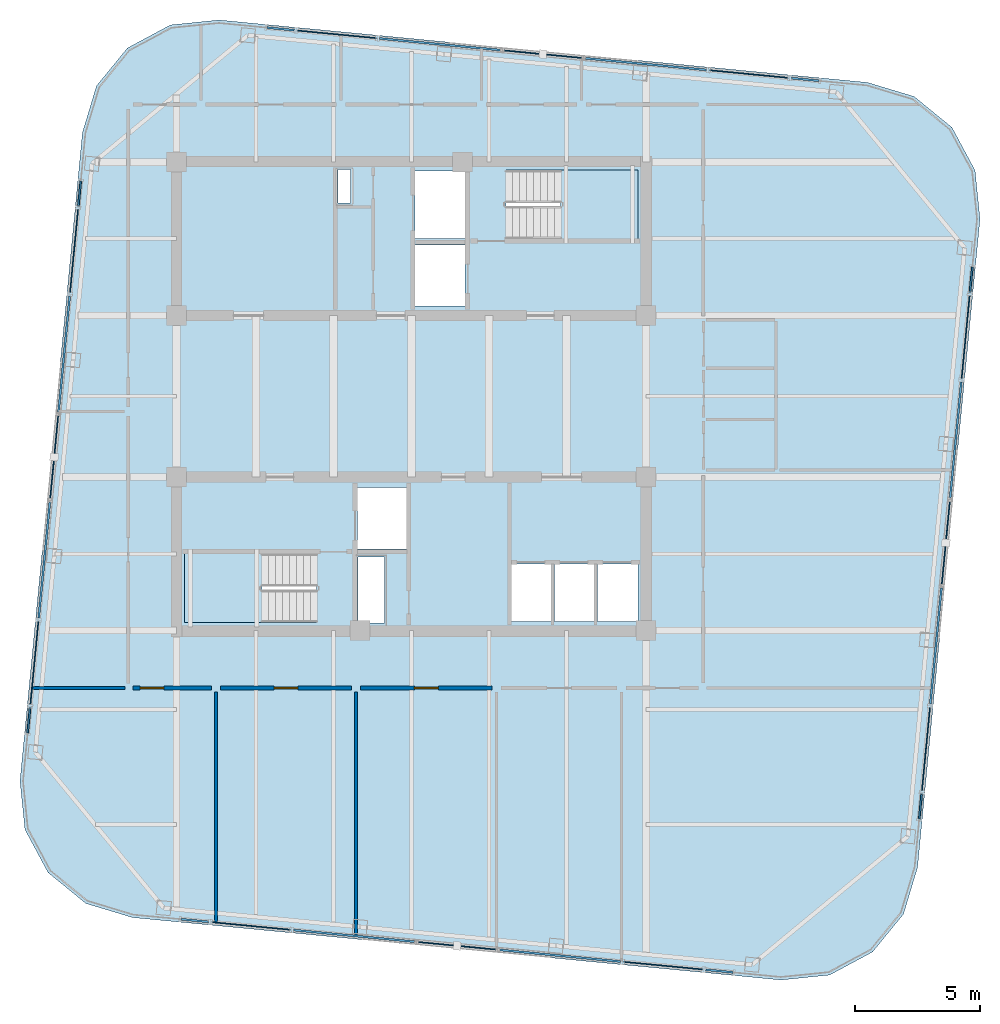
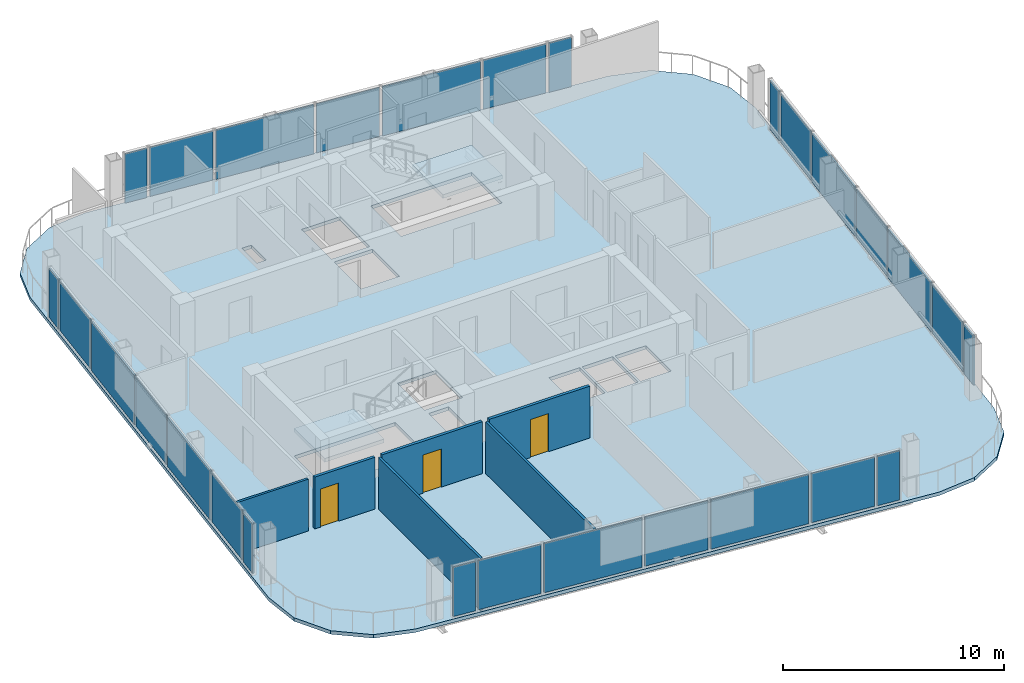
# One storey, part 20 of 27: 28 plates, 6 walls, 3 doors, 3 slabs, 3 openings, 30 elements without a shape of their own.
"""IFC4 building model written with IfcOpenShell, lengths in metres."""

from ifc_helpers import new_model, si_unit, direction, frame, frame_2d, origin, origin_2d, place, context, subcontext, project, spatial, polyline, rectangle, outline, extrude, material, layer, layer_set, type_object, element, fill, aggregate, save


model = new_model("IFC4")

# Units and contexts
model_context = context("Model", 3, precision=1e-05, world=origin(), true_north=direction((0.0, 1.0)))
body_context = subcontext(model_context, "Body", "Model", "MODEL_VIEW")
ifc_project = project(units=[si_unit("LENGTHUNIT", "METRE"), si_unit("AREAUNIT", "SQUARE_METRE"), si_unit("VOLUMEUNIT", "CUBIC_METRE"), si_unit("PLANEANGLEUNIT", "RADIAN"), si_unit("MASSUNIT", "GRAM", prefix="KILO")], contexts=[model_context])

# Site, building, storey
site_placement = place(None, origin())
site = spatial("IfcSite", under=ifc_project, at=site_placement, CompositionType="ELEMENT")
building_placement = place(site_placement, origin())
building = spatial("IfcBuilding", under=site, at=building_placement, Name="Qhalaya Broadcast Tower", CompositionType="ELEMENT")
storey_placement = place(building_placement, frame((0.0, 0.0, 258.10009765625)))
storey = spatial("IfcBuildingStorey", under=building, at=storey_placement, Name="L76", CompositionType="ELEMENT", Elevation=258.10009765625)

# Curtain wall, plate
ifc_material_1 = material(Name="Fired Architectural Terracotta", Category="masonry")
ifc_layer_1 = layer(ifc_material_1, 0.219970703125, Name="Fired Architectural Terracotta")
ifc_layer_set_1 = layer_set([ifc_layer_1], Name="Fired Architectural Terracotta")
curtain_wall_type_1 = type_object("IfcCurtainWallType", Name="Block-Cap Unitised Terracotta Spandrel Wall CW-07", PredefinedType="NOTDEFINED", material=ifc_layer_set_1)
curtain_wall_1_placement = place(storey_placement, origin())
curtain_wall_1 = element("IfcCurtainWall", 1, at=curtain_wall_1_placement, inside=storey, type_object=curtain_wall_type_1, Name="L76 Unitised Curtain Wall L76-CW-S1", PredefinedType="NOTDEFINED")
ifc_layer_2 = layer(ifc_material_1, 0.080078125, Name="Fired Architectural Terracotta")
ifc_layer_set_2 = layer_set([ifc_layer_2], Name="Fired Architectural Terracotta")
plate_type_1 = type_object("IfcPlateType", Name="Insulated Terracotta Spandrel Panel TSP-07", PredefinedType="CURTAIN_PANEL", material=ifc_layer_set_2)
plate_1_placement = place(storey_placement, frame((-8.650390625, -20.328857421875, 0.074951171875), z_axis=(0.0, 0.0, 1.0), x_axis=(0.995396414656, -0.095843506251, 0.0)))
plate_1 = element("IfcPlate", 2, at=plate_1_placement, type_object=plate_type_1, Name="CW-07 panel 1.1", PredefinedType="CURTAIN_PANEL", context=body_context, shape_type="SweptSolid", body=[
    extrude(rectangle(XDim=1.099853515625, YDim=0.080078125, at=origin_2d()), origin(), (0.0, 0.0, 1.0), 2.7099609375),
])
aggregate(curtain_wall_1, [plate_1])

curtain_wall_2_placement = place(storey_placement, origin())
curtain_wall_2 = element("IfcCurtainWall", 3, at=curtain_wall_2_placement, inside=storey, type_object=curtain_wall_type_1, Name="L76 Unitised Curtain Wall L76-CW-S3", PredefinedType="NOTDEFINED")
plate_2_placement = place(storey_placement, frame((-2.2880859375, -20.94140625, 0.074951171875), z_axis=(0.0, 0.0, 1.0), x_axis=(0.995394803391, -0.095860238798, 0.0)))
plate_2 = element("IfcPlate", 4, at=plate_2_placement, type_object=plate_type_1, Name="CW-07 panel 1.1", PredefinedType="CURTAIN_PANEL", context=body_context, shape_type="SweptSolid", body=[
    extrude(rectangle(XDim=4.85107421875, YDim=0.080078125, at=origin_2d()), origin(), (0.0, 0.0, 1.0), 2.7099609375),
])
aggregate(curtain_wall_2, [plate_2])

curtain_wall_3_placement = place(storey_placement, origin())
curtain_wall_3 = element("IfcCurtainWall", 5, at=curtain_wall_3_placement, inside=storey, type_object=curtain_wall_type_1, Name="L76 Unitised Curtain Wall L76-CW-S5", PredefinedType="NOTDEFINED")
plate_3_placement = place(storey_placement, frame((5.940185546875, -21.73388671875, 0.074951171875), z_axis=(0.0, 0.0, 1.0), x_axis=(0.995394873929, -0.095859506338, 0.0)))
plate_3 = element("IfcPlate", 6, at=plate_3_placement, type_object=plate_type_1, Name="CW-07 panel 1.1", PredefinedType="CURTAIN_PANEL", context=body_context, shape_type="SweptSolid", body=[
    extrude(rectangle(XDim=4.85009765625, YDim=0.080078125, at=origin_2d()), origin(), (0.0, 0.0, 1.0), 2.7099609375),
])
aggregate(curtain_wall_3, [plate_3])

curtain_wall_4_placement = place(storey_placement, origin())
curtain_wall_4 = element("IfcCurtainWall", 7, at=curtain_wall_4_placement, inside=storey, type_object=curtain_wall_type_1, Name="L76 Unitised Curtain Wall L76-CW-S7", PredefinedType="NOTDEFINED")
plate_4_placement = place(storey_placement, frame((12.302734375, -22.346435546875, 0.074951171875), z_axis=(0.0, 0.0, 1.0), x_axis=(0.995396414656, -0.095843506251, 0.0)))
plate_4 = element("IfcPlate", 8, at=plate_4_placement, type_object=plate_type_1, Name="CW-07 panel 1.1", PredefinedType="CURTAIN_PANEL", context=body_context, shape_type="SweptSolid", body=[
    extrude(rectangle(XDim=1.099853515625, YDim=0.080078125, at=origin_2d()), origin(), (0.0, 0.0, 1.0), 2.7099609375),
])
aggregate(curtain_wall_4, [plate_4])

curtain_wall_5_placement = place(storey_placement, origin())
curtain_wall_5 = element("IfcCurtainWall", 9, at=curtain_wall_5_placement, inside=storey, type_object=curtain_wall_type_1, Name="L76 Unitised Curtain Wall L76-CW-E1", PredefinedType="NOTDEFINED")
plate_5_placement = place(storey_placement, frame((20.32421875, -15.778076171875, 0.074951171875), z_axis=(0.0, 0.0, 1.0), x_axis=(0.095839545253, 0.995396796039, 0.0)))
plate_5 = element("IfcPlate", 10, at=plate_5_placement, type_object=plate_type_1, Name="CW-07 panel 1.1", PredefinedType="CURTAIN_PANEL", context=body_context, shape_type="SweptSolid", body=[
    extrude(rectangle(XDim=1.00390625, YDim=0.080078125, at=origin_2d()), origin(), (0.0, 0.0, 1.0), 2.7099609375),
])
aggregate(curtain_wall_5, [plate_5])

curtain_wall_6_placement = place(storey_placement, origin())
curtain_wall_6 = element("IfcCurtainWall", 11, at=curtain_wall_6_placement, inside=storey, type_object=curtain_wall_type_1, Name="L76 Unitised Curtain Wall L76-CW-E3", PredefinedType="NOTDEFINED")
plate_6_placement = place(storey_placement, frame((20.941650390625, -9.36767578125, 0.074951171875), z_axis=(0.0, 0.0, 1.0), x_axis=(0.095862212639, 0.995394613301, 0.0)))
plate_6 = element("IfcPlate", 12, at=plate_6_placement, type_object=plate_type_1, Name="CW-07 panel 1.1", PredefinedType="CURTAIN_PANEL", context=body_context, shape_type="SweptSolid", body=[
    extrude(rectangle(XDim=4.657958984375, YDim=0.080078125, at=origin_2d()), origin(), (0.0, 0.0, 1.0), 2.7099609375),
])
aggregate(curtain_wall_6, [plate_6])

curtain_wall_7_placement = place(storey_placement, origin())
curtain_wall_7 = element("IfcCurtainWall", 13, at=curtain_wall_7_placement, inside=storey, type_object=curtain_wall_type_1, Name="L76 Unitised Curtain Wall L76-CW-E5", PredefinedType="NOTDEFINED")
plate_7_placement = place(storey_placement, frame((21.73388671875, -1.1396484375, 0.074951171875), z_axis=(0.0, 0.0, 1.0), x_axis=(0.095860228044, 0.995394804427, 0.0)))
plate_7 = element("IfcPlate", 14, at=plate_7_placement, type_object=plate_type_1, Name="CW-07 panel 1.1", PredefinedType="CURTAIN_PANEL", context=body_context, shape_type="SweptSolid", body=[
    extrude(rectangle(XDim=4.657958984375, YDim=0.080078125, at=origin_2d()), origin(), (0.0, 0.0, 1.0), 2.7099609375),
])
aggregate(curtain_wall_7, [plate_7])

curtain_wall_8_placement = place(storey_placement, origin())
curtain_wall_8 = element("IfcCurtainWall", 15, at=curtain_wall_8_placement, inside=storey, type_object=curtain_wall_type_1, Name="L76 Unitised Curtain Wall L76-CW-E7", PredefinedType="NOTDEFINED")
plate_8_placement = place(storey_placement, frame((22.35107421875, 5.2705078125, 0.074951171875), z_axis=(0.0, 0.0, 1.0), x_axis=(0.095839545253, 0.995396796039, 0.0)))
plate_8 = element("IfcPlate", 16, at=plate_8_placement, type_object=plate_type_1, Name="CW-07 panel 1.1", PredefinedType="CURTAIN_PANEL", context=body_context, shape_type="SweptSolid", body=[
    extrude(rectangle(XDim=1.00390625, YDim=0.080078125, at=origin_2d()), origin(), (0.0, 0.0, 1.0), 2.7099609375),
])
aggregate(curtain_wall_8, [plate_8])

curtain_wall_9_placement = place(storey_placement, origin())
curtain_wall_9 = element("IfcCurtainWall", 17, at=curtain_wall_9_placement, inside=storey, type_object=curtain_wall_type_1, Name="L76 Unitised Curtain Wall L76-CW-N1", PredefinedType="NOTDEFINED")
plate_9_placement = place(storey_placement, frame((15.730224609375, 13.248779296875, 0.074951171875), z_axis=(0.0, 0.0, 1.0), x_axis=(-0.995396414656, 0.095843506251, 0.0)))
plate_9 = element("IfcPlate", 18, at=plate_9_placement, type_object=plate_type_1, Name="CW-07 panel 1.1", PredefinedType="CURTAIN_PANEL", context=body_context, shape_type="SweptSolid", body=[
    extrude(rectangle(XDim=1.099853515625, YDim=0.080078125, at=origin_2d()), origin(), (0.0, 0.0, 1.0), 2.7099609375),
])
aggregate(curtain_wall_9, [plate_9])

curtain_wall_10_placement = place(storey_placement, origin())
curtain_wall_10 = element("IfcCurtainWall", 19, at=curtain_wall_10_placement, inside=storey, type_object=curtain_wall_type_1, Name="L76 Unitised Curtain Wall L76-CW-N3", PredefinedType="NOTDEFINED")
plate_10_placement = place(storey_placement, frame((9.3681640625, 13.861572265625, 0.074951171875), z_axis=(0.0, 0.0, 1.0), x_axis=(-0.995394803391, 0.095860238798, 0.0)))
plate_10 = element("IfcPlate", 20, at=plate_10_placement, type_object=plate_type_1, Name="CW-07 panel 1.1", PredefinedType="CURTAIN_PANEL", context=body_context, shape_type="SweptSolid", body=[
    extrude(rectangle(XDim=4.85107421875, YDim=0.080078125, at=origin_2d()), origin(), (0.0, 0.0, 1.0), 2.7099609375),
])
aggregate(curtain_wall_10, [plate_10])

curtain_wall_11_placement = place(storey_placement, origin())
curtain_wall_11 = element("IfcCurtainWall", 21, at=curtain_wall_11_placement, inside=storey, type_object=curtain_wall_type_1, Name="L76 Unitised Curtain Wall L76-CW-N5", PredefinedType="NOTDEFINED")
plate_11_placement = place(storey_placement, frame((1.139892578125, 14.65380859375, 0.074951171875), z_axis=(0.0, 0.0, 1.0), x_axis=(-0.995394873929, 0.095859506338, 0.0)))
plate_11 = element("IfcPlate", 22, at=plate_11_placement, type_object=plate_type_1, Name="CW-07 panel 1.1", PredefinedType="CURTAIN_PANEL", context=body_context, shape_type="SweptSolid", body=[
    extrude(rectangle(XDim=4.85009765625, YDim=0.080078125, at=origin_2d()), origin(), (0.0, 0.0, 1.0), 2.7099609375),
])
aggregate(curtain_wall_11, [plate_11])

curtain_wall_12_placement = place(storey_placement, origin())
curtain_wall_12 = element("IfcCurtainWall", 23, at=curtain_wall_12_placement, inside=storey, type_object=curtain_wall_type_1, Name="L76 Unitised Curtain Wall L76-CW-N7", PredefinedType="NOTDEFINED")
plate_12_placement = place(storey_placement, frame((-5.222900390625, 15.2666015625, 0.074951171875), z_axis=(0.0, 0.0, 1.0), x_axis=(-0.995396414656, 0.095843506251, 0.0)))
plate_12 = element("IfcPlate", 24, at=plate_12_placement, type_object=plate_type_1, Name="CW-07 panel 1.1", PredefinedType="CURTAIN_PANEL", context=body_context, shape_type="SweptSolid", body=[
    extrude(rectangle(XDim=1.099853515625, YDim=0.080078125, at=origin_2d()), origin(), (0.0, 0.0, 1.0), 2.7099609375),
])
aggregate(curtain_wall_12, [plate_12])

curtain_wall_13_placement = place(storey_placement, origin())
curtain_wall_13 = element("IfcCurtainWall", 25, at=curtain_wall_13_placement, inside=storey, type_object=curtain_wall_type_1, Name="L76 Unitised Curtain Wall L76-CW-W1", PredefinedType="NOTDEFINED")
plate_13_placement = place(storey_placement, frame((-13.244384765625, 8.697998046875, 0.074951171875), z_axis=(0.0, 0.0, 1.0), x_axis=(-0.095839545253, -0.995396796039, 0.0)))
plate_13 = element("IfcPlate", 26, at=plate_13_placement, type_object=plate_type_1, Name="CW-07 panel 1.1", PredefinedType="CURTAIN_PANEL", context=body_context, shape_type="SweptSolid", body=[
    extrude(rectangle(XDim=1.00390625, YDim=0.080078125, at=origin_2d()), origin(), (0.0, 0.0, 1.0), 2.7099609375),
])
aggregate(curtain_wall_13, [plate_13])

curtain_wall_14_placement = place(storey_placement, origin())
curtain_wall_14 = element("IfcCurtainWall", 27, at=curtain_wall_14_placement, inside=storey, type_object=curtain_wall_type_1, Name="L76 Unitised Curtain Wall L76-CW-W3", PredefinedType="NOTDEFINED")
plate_14_placement = place(storey_placement, frame((-13.861572265625, 2.28759765625, 0.074951171875), z_axis=(0.0, 0.0, 1.0), x_axis=(-0.095862212639, -0.995394613301, 0.0)))
plate_14 = element("IfcPlate", 28, at=plate_14_placement, type_object=plate_type_1, Name="CW-07 panel 1.1", PredefinedType="CURTAIN_PANEL", context=body_context, shape_type="SweptSolid", body=[
    extrude(rectangle(XDim=4.657958984375, YDim=0.080078125, at=origin_2d()), origin(), (0.0, 0.0, 1.0), 2.7099609375),
])
aggregate(curtain_wall_14, [plate_14])

curtain_wall_15_placement = place(storey_placement, origin())
curtain_wall_15 = element("IfcCurtainWall", 29, at=curtain_wall_15_placement, inside=storey, type_object=curtain_wall_type_1, Name="L76 Unitised Curtain Wall L76-CW-W5", PredefinedType="NOTDEFINED")
plate_15_placement = place(storey_placement, frame((-14.65380859375, -5.940185546875, 0.074951171875), z_axis=(0.0, 0.0, 1.0), x_axis=(-0.095860228044, -0.995394804427, 0.0)))
plate_15 = element("IfcPlate", 30, at=plate_15_placement, type_object=plate_type_1, Name="CW-07 panel 1.1", PredefinedType="CURTAIN_PANEL", context=body_context, shape_type="SweptSolid", body=[
    extrude(rectangle(XDim=4.657958984375, YDim=0.080078125, at=origin_2d()), origin(), (0.0, 0.0, 1.0), 2.7099609375),
])
aggregate(curtain_wall_15, [plate_15])

curtain_wall_16_placement = place(storey_placement, origin())
curtain_wall_16 = element("IfcCurtainWall", 31, at=curtain_wall_16_placement, inside=storey, type_object=curtain_wall_type_1, Name="L76 Unitised Curtain Wall L76-CW-W7", PredefinedType="NOTDEFINED")
plate_16_placement = place(storey_placement, frame((-15.27099609375, -12.3505859375, 0.074951171875), z_axis=(0.0, 0.0, 1.0), x_axis=(-0.095839545253, -0.995396796039, 0.0)))
plate_16 = element("IfcPlate", 32, at=plate_16_placement, type_object=plate_type_1, Name="CW-07 panel 1.1", PredefinedType="CURTAIN_PANEL", context=body_context, shape_type="SweptSolid", body=[
    extrude(rectangle(XDim=1.00390625, YDim=0.080078125, at=origin_2d()), origin(), (0.0, 0.0, 1.0), 2.7099609375),
])
aggregate(curtain_wall_16, [plate_16])

ifc_material_2 = material(Name="Solar-Control Low-E Triple Glazing", Category="glass")
ifc_layer_3 = layer(ifc_material_2, 0.219970703125, Name="Solar-Control Low-E Triple Glazing")
ifc_layer_set_3 = layer_set([ifc_layer_3], Name="Solar-Control Low-E Triple Glazing")
curtain_wall_type_2 = type_object("IfcCurtainWallType", Name="High-Altitude Upper-Shaft Triple Low-E Curtain Wall CW-04", PredefinedType="NOTDEFINED", material=ifc_layer_set_3)
curtain_wall_17_placement = place(storey_placement, origin())
curtain_wall_17 = element("IfcCurtainWall", 33, at=curtain_wall_17_placement, inside=storey, type_object=curtain_wall_type_2, Name="L76 Unitised Curtain Wall L76-CW-S2", PredefinedType="NOTDEFINED")
ifc_layer_4 = layer(ifc_material_2, 0.0419921875, Name="Solar-Control Low-E Triple Glazing")
ifc_layer_set_4 = layer_set([ifc_layer_4], Name="Solar-Control Low-E Triple Glazing")
plate_type_2 = type_object("IfcPlateType", Name="Solar-Control Curtain Glazing Panel GLP-04", PredefinedType="CURTAIN_PANEL", material=ifc_layer_set_4)
plate_17_placement = place(storey_placement, frame((-6.402587890625, -20.54541015625, 0.074951171875), z_axis=(0.0, 0.0, 1.0), x_axis=(0.99539724102, -0.095834923543, 0.0)))
plate_17 = element("IfcPlate", 34, at=plate_17_placement, type_object=plate_type_2, Name="CW-04 panel 1.1", PredefinedType="CURTAIN_PANEL", context=body_context, shape_type="SweptSolid", body=[
    extrude(rectangle(XDim=3.115966796875, YDim=0.0419921875, at=origin_2d()), origin(), (0.0, 0.0, 1.0), 2.7099609375),
])
aggregate(curtain_wall_17, [plate_17])

curtain_wall_18_placement = place(storey_placement, origin())
curtain_wall_18 = element("IfcCurtainWall", 35, at=curtain_wall_18_placement, inside=storey, type_object=curtain_wall_type_2, Name="L76 Unitised Curtain Wall L76-CW-S4", PredefinedType="NOTDEFINED")
plate_18_placement = place(storey_placement, frame((1.826171875, -21.337646484375, 0.074951171875), z_axis=(0.0, 0.0, 1.0), x_axis=(0.995396959799, -0.095837844424, 0.0)))
plate_18 = element("IfcPlate", 36, at=plate_18_placement, type_object=plate_type_2, Name="CW-04 panel 1.1", PredefinedType="CURTAIN_PANEL", context=body_context, shape_type="SweptSolid", body=[
    extrude(rectangle(XDim=3.115966796875, YDim=0.0419921875, at=origin_2d()), origin(), (0.0, 0.0, 1.0), 2.7099609375),
])
aggregate(curtain_wall_18, [plate_18])

curtain_wall_19_placement = place(storey_placement, origin())
curtain_wall_19 = element("IfcCurtainWall", 37, at=curtain_wall_19_placement, inside=storey, type_object=curtain_wall_type_2, Name="L76 Unitised Curtain Wall L76-CW-S6", PredefinedType="NOTDEFINED")
plate_19_placement = place(storey_placement, frame((10.0546875, -22.130126953125, 0.074951171875), z_axis=(0.0, 0.0, 1.0), x_axis=(0.995397132343, -0.095836052317, 0.0)))
plate_19 = element("IfcPlate", 38, at=plate_19_placement, type_object=plate_type_2, Name="CW-04 panel 1.1", PredefinedType="CURTAIN_PANEL", context=body_context, shape_type="SweptSolid", body=[
    extrude(rectangle(XDim=3.116943359375, YDim=0.0419921875, at=origin_2d()), origin(), (0.0, 0.0, 1.0), 2.7099609375),
])
aggregate(curtain_wall_19, [plate_19])

curtain_wall_20_placement = place(storey_placement, origin())
curtain_wall_20 = element("IfcCurtainWall", 39, at=curtain_wall_20_placement, inside=storey, type_object=curtain_wall_type_2, Name="L76 Unitised Curtain Wall L76-CW-E2", PredefinedType="NOTDEFINED")
plate_20_placement = place(storey_placement, frame((20.54541015625, -13.482177734375, 0.074951171875), z_axis=(0.0, 0.0, 1.0), x_axis=(0.095836350923, 0.995397103593, 0.0)))
plate_20 = element("IfcPlate", 40, at=plate_20_placement, type_object=plate_type_2, Name="CW-04 panel 1.1", PredefinedType="CURTAIN_PANEL", context=body_context, shape_type="SweptSolid", body=[
    extrude(rectangle(XDim=3.30908203125, YDim=0.0419921875, at=origin_2d()), origin(), (0.0, 0.0, 1.0), 2.7099609375),
])
aggregate(curtain_wall_20, [plate_20])

curtain_wall_21_placement = place(storey_placement, origin())
curtain_wall_21 = element("IfcCurtainWall", 41, at=curtain_wall_21_placement, inside=storey, type_object=curtain_wall_type_2, Name="L76 Unitised Curtain Wall L76-CW-E4", PredefinedType="NOTDEFINED")
plate_21_placement = place(storey_placement, frame((21.337646484375, -5.253662109375, 0.074951171875), z_axis=(0.0, 0.0, 1.0), x_axis=(0.095835284901, 0.995397206229, 0.0)))
plate_21 = element("IfcPlate", 42, at=plate_21_placement, type_object=plate_type_2, Name="CW-04 panel 1.1", PredefinedType="CURTAIN_PANEL", context=body_context, shape_type="SweptSolid", body=[
    extrude(rectangle(XDim=3.30810546875, YDim=0.0419921875, at=origin_2d()), origin(), (0.0, 0.0, 1.0), 2.7099609375),
])
aggregate(curtain_wall_21, [plate_21])

curtain_wall_22_placement = place(storey_placement, origin())
curtain_wall_22 = element("IfcCurtainWall", 43, at=curtain_wall_22_placement, inside=storey, type_object=curtain_wall_type_2, Name="L76 Unitised Curtain Wall L76-CW-E6", PredefinedType="NOTDEFINED")
plate_22_placement = place(storey_placement, frame((22.130126953125, 2.974609375, 0.074951171875), z_axis=(0.0, 0.0, 1.0), x_axis=(0.095839108862, 0.995396838056, 0.0)))
plate_22 = element("IfcPlate", 44, at=plate_22_placement, type_object=plate_type_2, Name="CW-04 panel 1.1", PredefinedType="CURTAIN_PANEL", context=body_context, shape_type="SweptSolid", body=[
    extrude(rectangle(XDim=3.308837890625, YDim=0.0419921875, at=origin_2d()), origin(), (0.0, 0.0, 1.0), 2.7099609375),
])
aggregate(curtain_wall_22, [plate_22])

curtain_wall_23_placement = place(storey_placement, origin())
curtain_wall_23 = element("IfcCurtainWall", 45, at=curtain_wall_23_placement, inside=storey, type_object=curtain_wall_type_2, Name="L76 Unitised Curtain Wall L76-CW-N2", PredefinedType="NOTDEFINED")
plate_23_placement = place(storey_placement, frame((13.482666015625, 13.46533203125, 0.074951171875), z_axis=(0.0, 0.0, 1.0), x_axis=(-0.99539724102, 0.095834923543, 0.0)))
plate_23 = element("IfcPlate", 46, at=plate_23_placement, type_object=plate_type_2, Name="CW-04 panel 1.1", PredefinedType="CURTAIN_PANEL", context=body_context, shape_type="SweptSolid", body=[
    extrude(rectangle(XDim=3.115966796875, YDim=0.0419921875, at=origin_2d()), origin(), (0.0, 0.0, 1.0), 2.7099609375),
])
aggregate(curtain_wall_23, [plate_23])

curtain_wall_24_placement = place(storey_placement, origin())
curtain_wall_24 = element("IfcCurtainWall", 47, at=curtain_wall_24_placement, inside=storey, type_object=curtain_wall_type_2, Name="L76 Unitised Curtain Wall L76-CW-N4", PredefinedType="NOTDEFINED")
plate_24_placement = place(storey_placement, frame((5.253662109375, 14.2578125, 0.074951171875), z_axis=(0.0, 0.0, 1.0), x_axis=(-0.995396959799, 0.095837844424, 0.0)))
plate_24 = element("IfcPlate", 48, at=plate_24_placement, type_object=plate_type_2, Name="CW-04 panel 1.1", PredefinedType="CURTAIN_PANEL", context=body_context, shape_type="SweptSolid", body=[
    extrude(rectangle(XDim=3.115966796875, YDim=0.0419921875, at=origin_2d()), origin(), (0.0, 0.0, 1.0), 2.7099609375),
])
aggregate(curtain_wall_24, [plate_24])

curtain_wall_25_placement = place(storey_placement, origin())
curtain_wall_25 = element("IfcCurtainWall", 49, at=curtain_wall_25_placement, inside=storey, type_object=curtain_wall_type_2, Name="L76 Unitised Curtain Wall L76-CW-N6", PredefinedType="NOTDEFINED")
plate_25_placement = place(storey_placement, frame((-2.974609375, 15.050048828125, 0.074951171875), z_axis=(0.0, 0.0, 1.0), x_axis=(-0.995397132343, 0.095836052317, 0.0)))
plate_25 = element("IfcPlate", 50, at=plate_25_placement, type_object=plate_type_2, Name="CW-04 panel 1.1", PredefinedType="CURTAIN_PANEL", context=body_context, shape_type="SweptSolid", body=[
    extrude(rectangle(XDim=3.116943359375, YDim=0.0419921875, at=origin_2d()), origin(), (0.0, 0.0, 1.0), 2.7099609375),
])
aggregate(curtain_wall_25, [plate_25])

curtain_wall_26_placement = place(storey_placement, origin())
curtain_wall_26 = element("IfcCurtainWall", 51, at=curtain_wall_26_placement, inside=storey, type_object=curtain_wall_type_2, Name="L76 Unitised Curtain Wall L76-CW-W2", PredefinedType="NOTDEFINED")
plate_26_placement = place(storey_placement, frame((-13.46533203125, 6.402099609375, 0.074951171875), z_axis=(0.0, 0.0, 1.0), x_axis=(-0.095836350923, -0.995397103593, 0.0)))
plate_26 = element("IfcPlate", 52, at=plate_26_placement, type_object=plate_type_2, Name="CW-04 panel 1.1", PredefinedType="CURTAIN_PANEL", context=body_context, shape_type="SweptSolid", body=[
    extrude(rectangle(XDim=3.30908203125, YDim=0.0419921875, at=origin_2d()), origin(), (0.0, 0.0, 1.0), 2.7099609375),
])
aggregate(curtain_wall_26, [plate_26])

curtain_wall_27_placement = place(storey_placement, origin())
curtain_wall_27 = element("IfcCurtainWall", 53, at=curtain_wall_27_placement, inside=storey, type_object=curtain_wall_type_2, Name="L76 Unitised Curtain Wall L76-CW-W4", PredefinedType="NOTDEFINED")
plate_27_placement = place(storey_placement, frame((-14.2578125, -1.826171875, 0.074951171875), z_axis=(0.0, 0.0, 1.0), x_axis=(-0.095835284901, -0.995397206229, 0.0)))
plate_27 = element("IfcPlate", 54, at=plate_27_placement, type_object=plate_type_2, Name="CW-04 panel 1.1", PredefinedType="CURTAIN_PANEL", context=body_context, shape_type="SweptSolid", body=[
    extrude(rectangle(XDim=3.30810546875, YDim=0.0419921875, at=origin_2d()), origin(), (0.0, 0.0, 1.0), 2.7099609375),
])
aggregate(curtain_wall_27, [plate_27])

curtain_wall_28_placement = place(storey_placement, origin())
curtain_wall_28 = element("IfcCurtainWall", 55, at=curtain_wall_28_placement, inside=storey, type_object=curtain_wall_type_2, Name="L76 Unitised Curtain Wall L76-CW-W6", PredefinedType="NOTDEFINED")
plate_28_placement = place(storey_placement, frame((-15.050048828125, -10.0546875, 0.074951171875), z_axis=(0.0, 0.0, 1.0), x_axis=(-0.095839108862, -0.995396838056, 0.0)))
plate_28 = element("IfcPlate", 56, at=plate_28_placement, type_object=plate_type_2, Name="CW-04 panel 1.1", PredefinedType="CURTAIN_PANEL", context=body_context, shape_type="SweptSolid", body=[
    extrude(rectangle(XDim=3.308837890625, YDim=0.0419921875, at=origin_2d()), origin(), (0.0, 0.0, 1.0), 2.7099609375),
])
aggregate(curtain_wall_28, [plate_28])

# Stair, slab
ifc_material_3 = material(Name="Concrete C40/50", Category="concrete")
stair_type = type_object("IfcStairType", Name="Protected Dogleg Core Stair 3150", PredefinedType="TWO_STRAIGHT_RUN_STAIR", material=ifc_material_3)
stair_1_placement = place(storey_placement, origin())
stair_1 = element("IfcStair", 57, at=stair_1_placement, inside=storey, type_object=stair_type, Name="L76 North Core Exit Stair ST-1", PredefinedType="TWO_STRAIGHT_RUN_STAIR")
ifc_layer_5 = layer(ifc_material_3, 0.199951171875, Name="Concrete C40/50")
ifc_layer_set_5 = layer_set([ifc_layer_5], Name="Concrete C40/50")
slab_type_1 = type_object("IfcSlabType", Name="Stair & Ramp Half-Landing Slab 200", PredefinedType="LANDING", material=ifc_layer_set_5)
slab_1_placement = place(storey_placement, frame((0.0, 0.0, 1.324951171875)))
slab_1 = element("IfcSlab", 58, at=slab_1_placement, type_object=slab_type_1, Name="ST-1 landing 1", PredefinedType="LANDING", context=body_context, shape_type="SweptSolid", body=[
    extrude(outline(polyline([(5.955078125, 6.8798828125), (9.050048828125, 6.8798828125), (9.050048828125, 9.639892578125), (5.955078125, 9.639892578125), (5.955078125, 6.8798828125)])), origin(), (0.0, 0.0, 1.0), 0.199951171875),
])
aggregate(stair_1, [slab_1])

stair_2_placement = place(storey_placement, origin())
stair_2 = element("IfcStair", 59, at=stair_2_placement, inside=storey, type_object=stair_type, Name="L76 South Core Exit Stair ST-2", PredefinedType="TWO_STRAIGHT_RUN_STAIR")
slab_2_placement = place(storey_placement, frame((0.0, 0.0, 1.324951171875)))
slab_2 = element("IfcSlab", 60, at=slab_2_placement, type_object=slab_type_1, Name="ST-2 landing 1", PredefinedType="LANDING", context=body_context, shape_type="SweptSolid", body=[
    extrude(outline(polyline([(-5.955078125, -5.679931640625), (-9.050048828125, -5.679931640625), (-9.050048828125, -8.43994140625), (-5.955078125, -8.43994140625), (-5.955078125, -5.679931640625)])), origin(), (0.0, 0.0, 1.0), 0.199951171875),
])
aggregate(stair_2, [slab_2])

# Slab
ifc_layer_6 = layer(ifc_material_3, 0.18994140625, Name="Concrete C40/50")
ifc_layer_set_6 = layer_set([ifc_layer_6], Name="Concrete C40/50")
slab_type_2 = type_object("IfcSlabType", Name="Upper Tower Composite Floor Slab 190", PredefinedType="FLOOR", material=ifc_layer_set_6)
slab_3_placement = place(storey_placement, frame((0.0, 0.0, -0.190185546875)))
element("IfcSlab", 61, at=slab_3_placement, inside=storey, type_object=slab_type_2, Name="L76 Main Structural Floor Slab", PredefinedType="FLOOR", context=body_context, shape_type="SweptSolid", body=[
    extrude(outline(polyline([(14.7548828125, -22.703125), (16.696044921875, -22.5078125), (18.41455078125, -21.584228515625), (19.64892578125, -20.073486328125), (20.211181640625, -18.205322265625), (22.703125, 7.6748046875), (22.5078125, 9.615966796875), (21.584228515625, 11.33447265625), (20.073486328125, 12.56884765625), (18.205322265625, 13.131103515625), (-7.6748046875, 15.623046875), (-9.615966796875, 15.427734375), (-11.33447265625, 14.50439453125), (-12.56884765625, 12.993408203125), (-13.131103515625, 11.12548828125), (-15.623046875, -14.7548828125), (-15.427734375, -16.696044921875), (-14.50439453125, -18.41455078125), (-12.993408203125, -19.64892578125), (-11.12548828125, -20.211181640625), (14.7548828125, -22.703125)]), holes=[polyline([(3.784912109375, 9.639892578125), (9.050048828125, 9.639892578125), (9.050048828125, 6.8798828125), (3.784912109375, 6.8798828125), (3.784912109375, 9.639892578125)]), polyline([(-3.784912109375, -8.43994140625), (-9.050048828125, -8.43994140625), (-9.050048828125, -5.679931640625), (-3.784912109375, -5.679931640625), (-3.784912109375, -8.43994140625)]), polyline([(0.14990234375, 6.64990234375), (2.14990234375, 6.64990234375), (2.14990234375, 4.199951171875), (0.14990234375, 4.199951171875), (0.14990234375, 6.64990234375)]), polyline([(0.14990234375, 9.60009765625), (2.14990234375, 9.60009765625), (2.14990234375, 6.89990234375), (0.14990234375, 6.89990234375), (0.14990234375, 9.60009765625)]), polyline([(-2.14990234375, -3.050048828125), (-0.14990234375, -3.050048828125), (-0.14990234375, -5.5), (-2.14990234375, -5.5), (-2.14990234375, -3.050048828125)]), polyline([(4.0, -6.10009765625), (5.60009765625, -6.10009765625), (5.60009765625, -8.39990234375), (4.0, -8.39990234375), (4.0, -6.10009765625)]), polyline([(5.719970703125, -6.10009765625), (7.320068359375, -6.10009765625), (7.320068359375, -8.39990234375), (5.719970703125, -8.39990234375), (5.719970703125, -6.10009765625)]), polyline([(7.43994140625, -6.10009765625), (9.0400390625, -6.10009765625), (9.0400390625, -8.39990234375), (7.43994140625, -8.39990234375), (7.43994140625, -6.10009765625)]), polyline([(-2.919921875, 9.659912109375), (-2.419921875, 9.659912109375), (-2.419921875, 8.320068359375), (-2.919921875, 8.320068359375), (-2.919921875, 9.659912109375)]), polyline([(-2.1201171875, -5.820068359375), (-1.080078125, -5.820068359375), (-1.080078125, -8.4599609375), (-2.1201171875, -8.4599609375), (-2.1201171875, -5.820068359375)])]), origin(), (0.0, 0.0, 1.0), 0.190185546875),
])

# Wall, opening, door
ifc_material_4 = material(Name="Gypsum Acoustic Partition")
ifc_layer_7 = layer(ifc_material_4, 0.14990234375, Name="Gypsum Acoustic Partition")
ifc_layer_set_7 = layer_set([ifc_layer_7], Name="Gypsum Acoustic Partition")
wall_type_1 = type_object("IfcWallType", Name="Corridor & Tenancy Acoustic Partition 150", PredefinedType="PARTITIONING", material=ifc_layer_set_7)
wall_1_placement = place(storey_placement, frame((-11.1201171875, -11.050048828125, 0.0), z_axis=(0.0, 0.0, 1.0), x_axis=(1.0, 0.0, 0.0)))
wall_1 = element("IfcWall", 62, at=wall_1_placement, inside=storey, type_object=wall_type_1, Name="L76 Partition Wall W-COR-06", PredefinedType="PARTITIONING", context=body_context, shape_type="SweptSolid", body=[
    extrude(rectangle(XDim=3.14013671875, YDim=0.14990234375, at=frame_2d((1.570068359375, 0.0))), origin(), (0.0, 0.0, 1.0), 2.85986328125),
])
opening_1_placement = place(wall_1_placement, frame((0.294921875, 0.0, 0.0)))
opening_1 = element("IfcOpeningElement", 63, at=opening_1_placement, cuts=wall_1, Name="Opening D10", PredefinedType="OPENING", context=body_context, shape_type="SweptSolid", body=[
    extrude(rectangle(XDim=0.949951171875, YDim=2.10009765625, at=frame_2d((0.47509765625, 1.050048828125))), frame((0.0, 0.0869140625, 0.0), z_axis=(0.0, -1.0, 0.0), x_axis=(1.0, 0.0, 0.0)), (0.0, 0.0, 1.0), 0.173828125),
])
ifc_material_5 = material(Name="Timber Veneer Acoustic Door", Category="wood")
door_type = type_object("IfcDoorType", Name="Cellular Office & Edit Booth Door D10", OperationType="NOTDEFINED", PredefinedType="DOOR", material=ifc_material_5)
door_1_placement = place(opening_1_placement, origin())
door_1 = element("IfcDoor", 64, at=door_1_placement, inside=storey, type_object=door_type, Name="L76 Door D-RM06", OperationType="SINGLE_SWING_LEFT", OverallHeight=2.10009765625, OverallWidth=0.949951171875, PredefinedType="DOOR", context=body_context, shape_type="SweptSolid", body=[
    extrude(rectangle(XDim=0.949951171875, YDim=2.10009765625, at=frame_2d((0.47509765625, 1.050048828125))), frame((0.0, 0.02490234375, 0.0), z_axis=(0.0, -1.0, 0.0), x_axis=(1.0, 0.0, 0.0)), (0.0, 0.0, 1.0), 0.050048828125),
])
fill(opening_1, door_1)

wall_2_placement = place(storey_placement, frame((-7.6201171875, -11.050048828125, 0.0), z_axis=(0.0, 0.0, 1.0), x_axis=(1.0, 0.0, 0.0)))
wall_2 = element("IfcWall", 65, at=wall_2_placement, inside=storey, type_object=wall_type_1, Name="L76 Partition Wall W-COR-07", PredefinedType="PARTITIONING", context=body_context, shape_type="SweptSolid", body=[
    extrude(rectangle(XDim=5.240234375, YDim=0.14990234375, at=frame_2d((2.6201171875, 0.0))), origin(), (0.0, 0.0, 1.0), 2.85986328125),
])
opening_2_placement = place(wall_2_placement, frame((2.14501953125, 0.0, 0.0)))
opening_2 = element("IfcOpeningElement", 66, at=opening_2_placement, cuts=wall_2, Name="Opening D10", PredefinedType="OPENING", context=body_context, shape_type="SweptSolid", body=[
    extrude(rectangle(XDim=0.949951171875, YDim=2.10009765625, at=frame_2d((0.47509765625, 1.050048828125))), frame((0.0, 0.0869140625, 0.0), z_axis=(0.0, -1.0, 0.0), x_axis=(1.0, 0.0, 0.0)), (0.0, 0.0, 1.0), 0.173828125),
])
door_2_placement = place(opening_2_placement, origin())
door_2 = element("IfcDoor", 67, at=door_2_placement, inside=storey, type_object=door_type, Name="L76 Door D-RM07", OperationType="SINGLE_SWING_RIGHT", OverallHeight=2.10009765625, OverallWidth=0.949951171875, PredefinedType="DOOR", context=body_context, shape_type="SweptSolid", body=[
    extrude(rectangle(XDim=0.949951171875, YDim=2.10009765625, at=frame_2d((0.47509765625, 1.050048828125))), frame((0.0, 0.02490234375, 0.0), z_axis=(0.0, -1.0, 0.0), x_axis=(1.0, 0.0, 0.0)), (0.0, 0.0, 1.0), 0.050048828125),
])
fill(opening_2, door_2)

wall_3_placement = place(storey_placement, frame((-2.02001953125, -11.050048828125, 0.0), z_axis=(0.0, 0.0, 1.0), x_axis=(1.0, 0.0, 0.0)))
wall_3 = element("IfcWall", 68, at=wall_3_placement, inside=storey, type_object=wall_type_1, Name="L76 Partition Wall W-COR-08", PredefinedType="PARTITIONING", context=body_context, shape_type="SweptSolid", body=[
    extrude(rectangle(XDim=5.239990234375, YDim=0.14990234375, at=frame_2d((2.6201171875, 0.0))), origin(), (0.0, 0.0, 1.0), 2.85986328125),
])
opening_3_placement = place(wall_3_placement, frame((2.14501953125, 0.0, 0.0)))
opening_3 = element("IfcOpeningElement", 69, at=opening_3_placement, cuts=wall_3, Name="Opening D10", PredefinedType="OPENING", context=body_context, shape_type="SweptSolid", body=[
    extrude(rectangle(XDim=0.949951171875, YDim=2.10009765625, at=frame_2d((0.47509765625, 1.050048828125))), frame((0.0, 0.0869140625, 0.0), z_axis=(0.0, -1.0, 0.0), x_axis=(1.0, 0.0, 0.0)), (0.0, 0.0, 1.0), 0.173828125),
])
door_3_placement = place(opening_3_placement, origin())
door_3 = element("IfcDoor", 70, at=door_3_placement, inside=storey, type_object=door_type, Name="L76 Door D-RM08", OperationType="SINGLE_SWING_LEFT", OverallHeight=2.10009765625, OverallWidth=0.949951171875, PredefinedType="DOOR", context=body_context, shape_type="SweptSolid", body=[
    extrude(rectangle(XDim=0.949951171875, YDim=2.10009765625, at=frame_2d((0.47509765625, 1.050048828125))), frame((0.0, 0.02490234375, 0.0), z_axis=(0.0, -1.0, 0.0), x_axis=(1.0, 0.0, 0.0)), (0.0, 0.0, 1.0), 0.050048828125),
])
fill(opening_3, door_3)

# Walls
ifc_layer_8 = layer(ifc_material_4, 0.1201171875, Name="Gypsum Acoustic Partition")
ifc_layer_set_8 = layer_set([ifc_layer_8], Name="Gypsum Acoustic Partition")
wall_type_2 = type_object("IfcWallType", Name="Office, Booth & Sanitary Partition 120", PredefinedType="PARTITIONING", material=ifc_layer_set_8)
wall_4_placement = place(storey_placement, frame((-15.145751953125, -11.050048828125, 0.0), z_axis=(0.0, 0.0, 1.0), x_axis=(1.0, 0.0, 0.0)))
element("IfcWall", 71, at=wall_4_placement, inside=storey, type_object=wall_type_2, Name="L76 Partition Wall W-BNDW2", PredefinedType="PARTITIONING", context=body_context, shape_type="SweptSolid", body=[
    extrude(rectangle(XDim=3.705810546875, YDim=0.1201171875, at=frame_2d((1.85302734375, 0.0))), origin(), (0.0, 0.0, 1.0), 2.85986328125),
])
wall_5_placement = place(storey_placement, frame((-7.800048828125, -20.41064453125, 0.0), z_axis=(0.0, 0.0, 1.0), x_axis=(0.0, 1.0, 0.0)))
element("IfcWall", 72, at=wall_5_placement, inside=storey, type_object=wall_type_2, Name="L76 Partition Wall W-DIVS1", PredefinedType="PARTITIONING", context=body_context, shape_type="SweptSolid", body=[
    extrude(rectangle(XDim=9.20068359375, YDim=0.1201171875, at=frame_2d((4.600341796875, 0.0))), origin(), (0.0, 0.0, 1.0), 2.85986328125),
])
wall_6_placement = place(storey_placement, frame((-2.199951171875, -20.949951171875, 0.0), z_axis=(0.0, 0.0, 1.0), x_axis=(0.0, 1.0, 0.0)))
element("IfcWall", 73, at=wall_6_placement, inside=storey, type_object=wall_type_2, Name="L76 Partition Wall W-DIVS2", PredefinedType="PARTITIONING", context=body_context, shape_type="SweptSolid", body=[
    extrude(rectangle(XDim=9.739990234375, YDim=0.1201171875, at=frame_2d((4.8701171875, 0.0))), origin(), (0.0, 0.0, 1.0), 2.85986328125),
])

save(model, "model.ifc")
